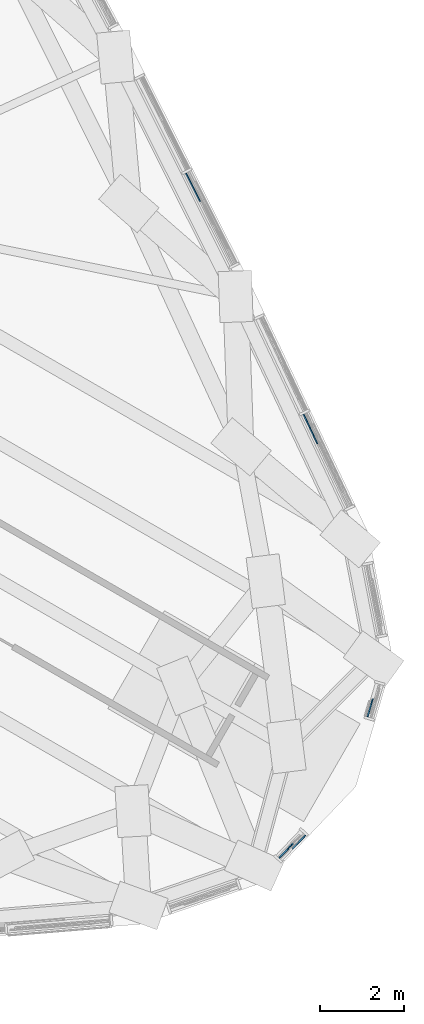
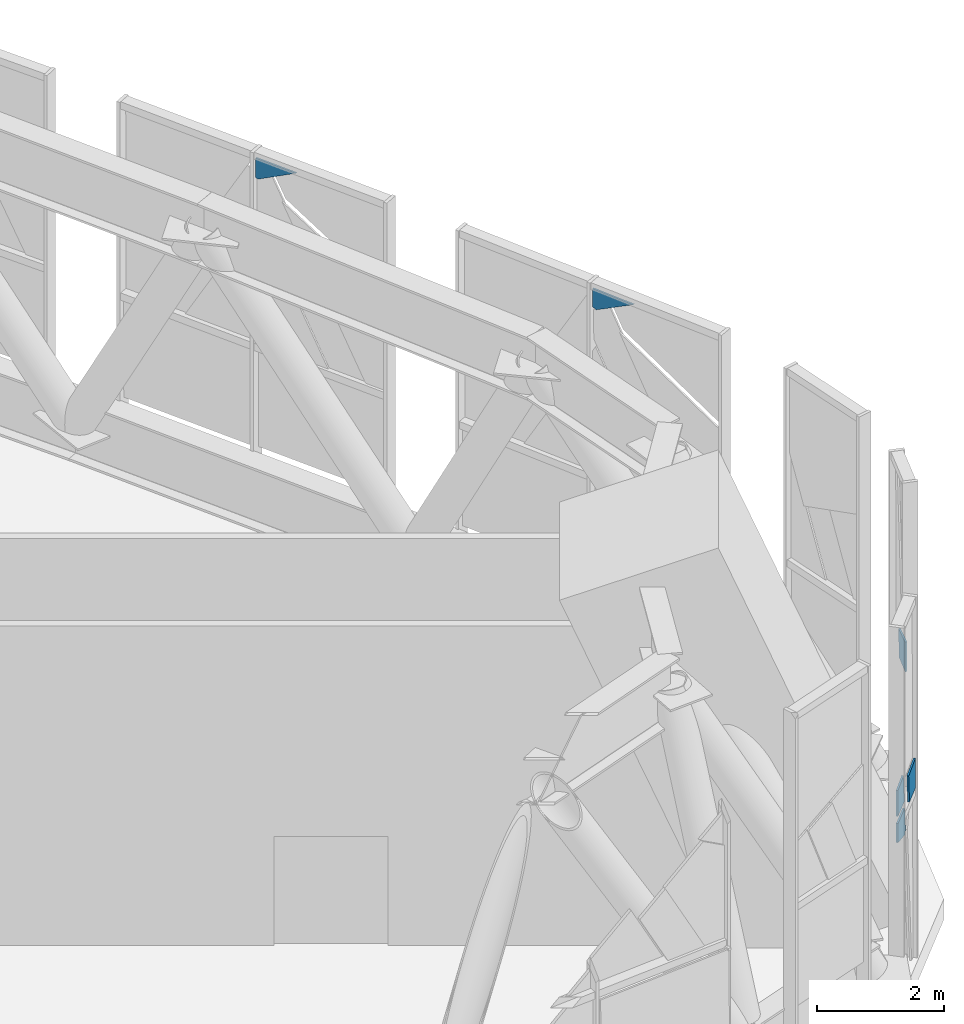
# One storey, part 19 of 33: 6 plates, 2 elements without a shape of their own.
"""IFC4 building model written with IfcOpenShell, lengths in metres."""

from ifc_helpers import new_model, si_unit, direction, frame, origin, place, context, subcontext, project, spatial, polyline, outline, extrude, material, layer, layer_set, type_object, element, aggregate, save


model = new_model("IFC4")

# Units and contexts
model_context = context("Model", 3, precision=1e-05, world=origin(), true_north=direction((0.0, 1.0)))
body_context = subcontext(model_context, "Body", "Model", "MODEL_VIEW")
ifc_project = project(units=[si_unit("LENGTHUNIT", "METRE"), si_unit("AREAUNIT", "SQUARE_METRE"), si_unit("VOLUMEUNIT", "CUBIC_METRE"), si_unit("PLANEANGLEUNIT", "RADIAN"), si_unit("MASSUNIT", "GRAM", prefix="KILO")], contexts=[model_context])

# Site, building, storey
site_placement = place(None, origin())
site = spatial("IfcSite", under=ifc_project, at=site_placement, CompositionType="ELEMENT")
building_placement = place(site_placement, origin())
building = spatial("IfcBuilding", under=site, at=building_placement, Name="Mestral Congress Tower", CompositionType="ELEMENT")
storey_placement = place(building_placement, frame((0.0, 0.0, 134.39990234375)))
storey = spatial("IfcBuildingStorey", under=building, at=storey_placement, Name="L32", CompositionType="ELEMENT", Elevation=134.39990234375)

# Curtain wall, plates
ifc_material_1 = material(Name="Clear low-emissivity double glazing", Category="glass")
curtain_wall_type = type_object("IfcCurtainWallType", Name="Facade sky lobby curtain wall", PredefinedType="USERDEFINED", material=ifc_material_1)
placement = place(storey_placement, origin())
curtain_wall_1 = element("IfcCurtainWall", 1, at=placement, inside=storey, type_object=curtain_wall_type, Name="Facade sky lobby curtain wall corner 1", ObjectType="CURTAIN WALL", PredefinedType="USERDEFINED")
ifc_material_2 = material(Name="Anodised aluminium", Category="aluminium")
ifc_layer_1 = layer(ifc_material_2, 0.031982421875)
ifc_layer_set_1 = layer_set([ifc_layer_1], Name="Anodised aluminium")
plate_type_1 = type_object("IfcPlateType", Name="Facade sky lobby curtain wall brace cover panel", PredefinedType="CURTAIN_PANEL", material=ifc_layer_set_1)
plate_1_placement = place(storey_placement, frame((29.560302734375, -18.931884765625, 3.27001953125), z_axis=(0.723663490318, -0.690149556764, 0.002177631308), x_axis=(-0.690151192817, -0.723665206468, -2.0584e-07)))
plate_1 = element("IfcPlate", 2, at=plate_1_placement, type_object=plate_type_1, Name="Facade sky lobby curtain wall brace cover panel", PredefinedType="CURTAIN_PANEL", context=body_context, shape_type="SweptSolid", body=[
    extrude(outline(polyline([(0.0, 0.0), (0.3990689660033985, -5.421010862427522e-20), (0.4494636794771841, -0.5312513521366548), (0.00014382940011060187, -0.5739758881812644), (0.0, 0.0)])), origin(), (0.0, 0.0, -1.0), 0.031982421875),
])
plate_2_placement = place(storey_placement, frame((31.045166015625, -16.095703125, 3.27001953125), z_axis=(0.959592814067, -0.281385501707, 0.001957196961), x_axis=(-0.001783126152, 0.00087466503, 0.999998027709)))
plate_2 = element("IfcPlate", 3, at=plate_2_placement, type_object=plate_type_1, Name="Facade sky lobby curtain wall brace cover panel", PredefinedType="CURTAIN_PANEL", context=body_context, shape_type="SweptSolid", body=[
    extrude(outline(polyline([(0.0, 0.0), (0.5739756457468029, -2.710505431213761e-20), (0.5314027317446253, -0.44933132216196503), (0.00013457928151021205, -0.3989457763775921), (0.0, 0.0)])), origin(), (0.0, 0.0, -1.0), 0.031982421875),
])

curtain_wall_2 = element("IfcCurtainWall", 4, at=placement, inside=storey, type_object=curtain_wall_type, Name="Facade sky lobby curtain wall face 2", ObjectType="CURTAIN WALL", PredefinedType="USERDEFINED")
ifc_layer_2 = layer(ifc_material_1, 0.031982421875)
ifc_layer_set_2 = layer_set([ifc_layer_2], Name="Clear low-emissivity double glazing")
plate_type_2 = type_object("IfcPlateType", Name="Facade sky lobby curtain wall panel", PredefinedType="CURTAIN_PANEL", material=ifc_layer_set_2)
plate_3_placement = place(storey_placement, frame((29.51416015625, -8.85888671875, 6.81005859375), z_axis=(0.904029421031, 0.427466286071, 0.001838527498), x_axis=(0.001375162908, 0.001392709246, -0.999998084642)))
plate_3 = element("IfcPlate", 5, at=plate_3_placement, type_object=plate_type_2, Name="Sky lobby glass unit", PredefinedType="CURTAIN_PANEL", context=body_context, shape_type="SweptSolid", body=[
    extrude(outline(polyline([(0.0, 0.0), (0.346680374984408, 5.421010862427522e-20), (0.3849653319936343, -0.06729739554779039), (-0.0005243859837730663, -0.781283125512962), (0.0, 0.0)])), origin(), (0.0, 0.0, -1.0), 0.031982421875),
])
plate_4_placement = place(storey_placement, frame((26.707763671875, -3.0966796875, 6.440673828125), z_axis=(0.893834140405, 0.448395097725, 0.001538109943), x_axis=(0.391300367969, -0.77833684178, -0.490994687095)))
plate_4 = element("IfcPlate", 6, at=plate_4_placement, type_object=plate_type_2, Name="Sky lobby glass unit", PredefinedType="CURTAIN_PANEL", context=body_context, shape_type="SweptSolid", body=[
    extrude(outline(polyline([(0.0, 0.0), (0.045745511956624296, -3.469446951953614e-18), (0.4808319137912112, -0.695015658029888), (-0.1811769747625139, -0.32190134842782536), (0.0, 0.0)])), origin(), (0.0, 0.0, -1.0), 0.031982421875),
])
aggregate(curtain_wall_2, [plate_3, plate_4])

# Plate
plate_5_placement = place(storey_placement, frame((29.24462890625, -19.14599609375, 2.611083984375), z_axis=(0.723394882755, -0.690431349745, 0.002096400239), x_axis=(-0.655825774714, -0.686181521908, 0.314718083708)))
plate_5 = element("IfcPlate", 7, at=plate_5_placement, type_object=plate_type_2, Name="Sky lobby glass unit", PredefinedType="CURTAIN_PANEL", context=body_context, shape_type="SweptSolid", body=[
    extrude(outline(polyline([(0.0, 0.0), (0.47863455832428403, 2.7755575615628914e-17), (0.5945644598917663, -0.3496931971997247), (0.17562012456487822, -0.48860162966434306), (1.7677999892665858e-05, -0.0895037580948335), (0.0, 0.0)])), origin(), (0.0, 0.0, -1.0), 0.031982421875),
])

plate_6_placement = place(storey_placement, frame((28.929931640625, -19.4736328125, 3.27001953125), z_axis=(0.723361806622, -0.690466327957, 0.001986624961), x_axis=(-0.001649628196, 0.001148995805, 0.999997979266)))
plate_6 = element("IfcPlate", 8, at=plate_6_placement, type_object=plate_type_2, Name="Sky lobby glass unit", PredefinedType="CURTAIN_PANEL", context=body_context, shape_type="SweptSolid", body=[
    extrude(outline(polyline([(0.0, 0.0), (0.49536209638825063, -8.131516293641283e-20), (0.531134746617778, -0.37783972169302016), (-0.0001320246740292504, -0.42807150160633234), (0.0, 0.0)])), origin(), (0.0, 0.0, -1.0), 0.031982421875),
])

aggregate(curtain_wall_1, [plate_5, plate_6, plate_1, plate_2])

save(model, "model.ifc")
